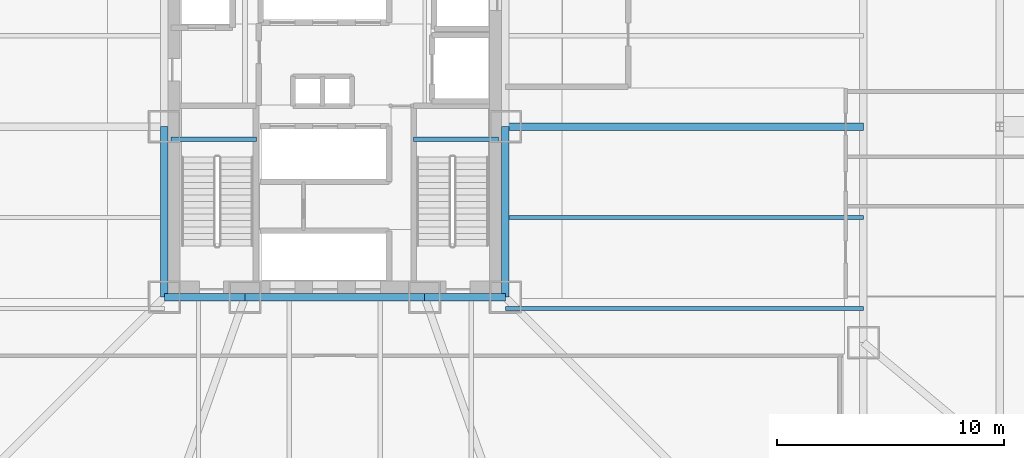
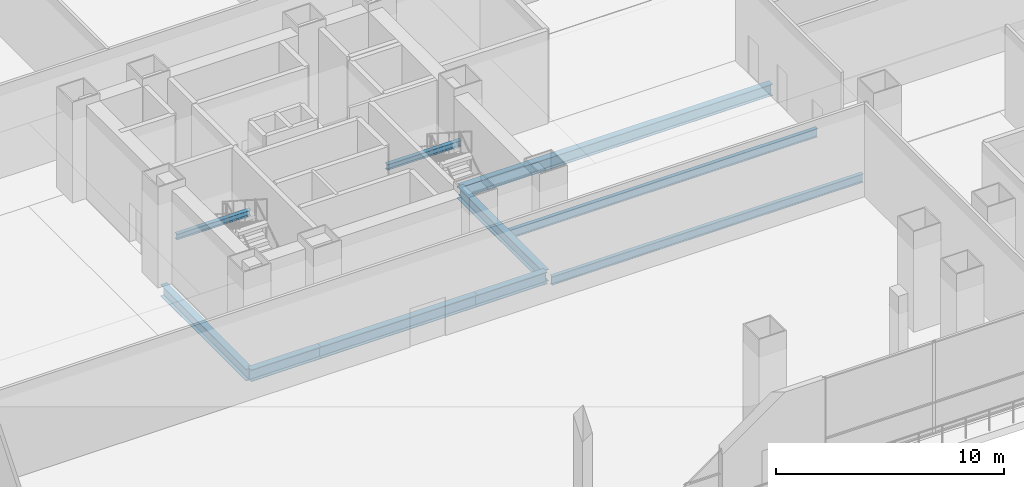
# One storey, part 10 of 36: 10 beams.
"""IFC4 building model written with IfcOpenShell, lengths in metres."""

from ifc_helpers import new_model, si_unit, direction, frame, origin, origin_2d, place, context, subcontext, project, spatial, i_section, extrude, material, material_profile, profile_set, type_object, element, save


model = new_model("IFC4")

# Units and contexts
model_context = context("Model", 3, precision=1e-05, world=origin(), true_north=direction((0.0, 1.0)))
body_context = subcontext(model_context, "Body", "Model", "MODEL_VIEW")
ifc_project = project(units=[si_unit("LENGTHUNIT", "METRE"), si_unit("AREAUNIT", "SQUARE_METRE"), si_unit("VOLUMEUNIT", "CUBIC_METRE"), si_unit("PLANEANGLEUNIT", "RADIAN"), si_unit("MASSUNIT", "GRAM", prefix="KILO")], contexts=[model_context])

# Site, building, storey
site_placement = place(None, origin())
site = spatial("IfcSite", under=ifc_project, at=site_placement, CompositionType="ELEMENT")
building_placement = place(site_placement, origin())
building = spatial("IfcBuilding", under=site, at=building_placement, Name="Trevonay Congress Spire", CompositionType="ELEMENT")
storey_placement = place(building_placement, frame((0.0, 0.0, 5.39990234375)))
storey = spatial("IfcBuildingStorey", under=building, at=storey_placement, Name="L01", CompositionType="ELEMENT", Elevation=5.39990234375)

# Beams
ifc_material = material(Name="Steel ASTM A572 Grade 50", Category="steel")
ifc_material_profile_1 = material_profile(ifc_material, i_section(OverallWidth=0.324951171875, OverallDepth=0.615966796875, WebThickness=0.013916015625, FlangeThickness=0.021484375, FilletRadius=0.01806640625, at=origin_2d()), Name="W610x174")
ifc_profile_set_1 = profile_set([ifc_material_profile_1], Name="Steel ASTM A572 Grade 50")
beam_type_1 = type_object("IfcBeamType", Name="BM-GIRD-W610X174", PredefinedType="BEAM", material=ifc_profile_set_1)
beam_1_placement = place(storey_placement, frame((7.5, 0.0, -0.7080078125), z_axis=(1.0, 0.0, 0.0), x_axis=(0.0, 1.0, 0.0)))
element("IfcBeam", 1, at=beam_1_placement, inside=storey, type_object=beam_type_1, Name="L01 structural beam BM-L01-RAD-EC", PredefinedType="BEAM", context=body_context, shape_type="SweptSolid", body=[
    extrude(i_section(OverallWidth=0.324951171875, OverallDepth=0.615966796875, WebThickness=0.013916015625, FlangeThickness=0.021484375, FilletRadius=0.01806640625, at=origin_2d()), origin(), (0.0, 0.0, 1.0), 15.75),
])
ifc_material_profile_2 = material_profile(ifc_material, i_section(OverallWidth=0.3291015625, OverallDepth=0.635009765625, WebThickness=0.017822265625, FlangeThickness=0.031005859375, FilletRadius=0.01806640625, at=origin_2d()), Name="W610x241")
ifc_profile_set_2 = profile_set([ifc_material_profile_2], Name="Steel ASTM A572 Grade 50")
beam_type_2 = type_object("IfcBeamType", Name="BM-GIRD-W610X241", PredefinedType="BEAM", material=ifc_profile_set_2)
beam_2_placement = place(storey_placement, frame((-7.5, -7.5, -0.71728515625), z_axis=(1.0, 0.0, 0.0), x_axis=(0.0, 1.0, 0.0)))
element("IfcBeam", 2, at=beam_2_placement, inside=storey, type_object=beam_type_2, Name="L01 structural beam BM-L01-CR-S1", PredefinedType="BEAM", context=body_context, shape_type="SweptSolid", body=[
    extrude(i_section(OverallWidth=0.3291015625, OverallDepth=0.635009765625, WebThickness=0.017822265625, FlangeThickness=0.031005859375, FilletRadius=0.01806640625, at=origin_2d()), origin(), (0.0, 0.0, 1.0), 3.550048828125),
])
beam_3_placement = place(storey_placement, frame((-3.949951171875, -7.5, -0.71728515625), z_axis=(1.0, 0.0, 0.0), x_axis=(0.0, 1.0, 0.0)))
element("IfcBeam", 3, at=beam_3_placement, inside=storey, type_object=beam_type_2, Name="L01 structural beam BM-L01-CR-S2", PredefinedType="BEAM", context=body_context, shape_type="SweptSolid", body=[
    extrude(i_section(OverallWidth=0.3291015625, OverallDepth=0.635009765625, WebThickness=0.017822265625, FlangeThickness=0.031005859375, FilletRadius=0.01806640625, at=origin_2d()), origin(), (0.0, 0.0, 1.0), 7.89990234375),
])
beam_4_placement = place(storey_placement, frame((3.949951171875, -7.5, -0.71728515625), z_axis=(1.0, 0.0, 0.0), x_axis=(0.0, 1.0, 0.0)))
element("IfcBeam", 4, at=beam_4_placement, inside=storey, type_object=beam_type_2, Name="L01 structural beam BM-L01-CR-S3", PredefinedType="BEAM", context=body_context, shape_type="SweptSolid", body=[
    extrude(i_section(OverallWidth=0.3291015625, OverallDepth=0.635009765625, WebThickness=0.017822265625, FlangeThickness=0.031005859375, FilletRadius=0.01806640625, at=origin_2d()), origin(), (0.0, 0.0, 1.0), 3.550048828125),
])
for number, where, z_axis, x_axis, name in (
    (5, (-7.5, -7.5, -0.71728515625), (0.0, 1.0, 0.0), (-1.0, 0.0, 0.0), "L01 structural beam BM-L01-CR-W1"),
    (6, (7.5, -7.5, -0.71728515625), (0.0, 1.0, 0.0), (-1.0, 0.0, 0.0), "L01 structural beam BM-L01-CR-E1"),
):
    element("IfcBeam", number, at=place(storey_placement, frame(where, z_axis=z_axis, x_axis=x_axis)), inside=storey, type_object=beam_type_2, Name=name, PredefinedType="BEAM", context=body_context, shape_type="SweptSolid", body=[
        extrude(i_section(OverallWidth=0.3291015625, OverallDepth=0.635009765625, WebThickness=0.017822265625, FlangeThickness=0.031005859375, FilletRadius=0.01806640625, at=origin_2d()), origin(), (0.0, 0.0, 1.0), 7.5),
    ])
ifc_material_profile_3 = material_profile(ifc_material, i_section(OverallWidth=0.18994140625, OverallDepth=0.45703125, WebThickness=0.009033203125, FlangeThickness=0.014404296875, FilletRadius=0.013916015625, at=origin_2d()), Name="W460x74")
ifc_profile_set_3 = profile_set([ifc_material_profile_3], Name="Steel ASTM A572 Grade 50")
beam_type_3 = type_object("IfcBeamType", Name="JS-COMP-W460X74", PredefinedType="JOIST", material=ifc_profile_set_3)
for number, where, z_axis, x_axis, name in (
    (7, (7.5, -8.0, -0.62841796875), (1.0, 0.0, 0.0), (0.0, 1.0, 0.0), "L01 structural beam JS-L01-EH1"),
    (8, (7.5, -4.0, -0.62841796875), (1.0, 0.0, 0.0), (0.0, 1.0, 0.0), "L01 structural beam JS-L01-EH2"),
):
    element("IfcBeam", number, at=place(storey_placement, frame(where, z_axis=z_axis, x_axis=x_axis)), inside=storey, type_object=beam_type_3, Name=name, PredefinedType="JOIST", context=body_context, shape_type="SweptSolid", body=[
        extrude(i_section(OverallWidth=0.18994140625, OverallDepth=0.45703125, WebThickness=0.009033203125, FlangeThickness=0.014404296875, FilletRadius=0.013916015625, at=origin_2d()), origin(), (0.0, 0.0, 1.0), 15.75),
    ])
ifc_material_profile_4 = material_profile(ifc_material, i_section(OverallWidth=0.2041015625, OverallDepth=0.305908203125, WebThickness=0.008544921875, FlangeThickness=0.0146484375, FilletRadius=0.010986328125, at=origin_2d()), Name="W310x67")
ifc_profile_set_4 = profile_set([ifc_material_profile_4], Name="Steel ASTM A572 Grade 50")
beam_type_4 = type_object("IfcBeamType", Name="LN-CORE-W310X67", PredefinedType="LINTEL", material=ifc_profile_set_4)
for number, where, z_axis, x_axis, name in (
    (9, (-7.199951171875, -0.550048828125, 2.34716796875), (1.0, 0.0, 0.0), (0.0, 1.0, 0.0), "L01 structural beam BM-L01-HL-ST1"),
    (10, (3.449951171875, -0.550048828125, 2.34716796875), (1.0, 0.0, 0.0), (0.0, 1.0, 0.0), "L01 structural beam BM-L01-HL-ST2"),
):
    element("IfcBeam", number, at=place(storey_placement, frame(where, z_axis=z_axis, x_axis=x_axis)), inside=storey, type_object=beam_type_4, Name=name, PredefinedType="LINTEL", context=body_context, shape_type="SweptSolid", body=[
        extrude(i_section(OverallWidth=0.2041015625, OverallDepth=0.305908203125, WebThickness=0.008544921875, FlangeThickness=0.0146484375, FilletRadius=0.010986328125, at=origin_2d()), origin(), (0.0, 0.0, 1.0), 3.75),
    ])

save(model, "model.ifc")
